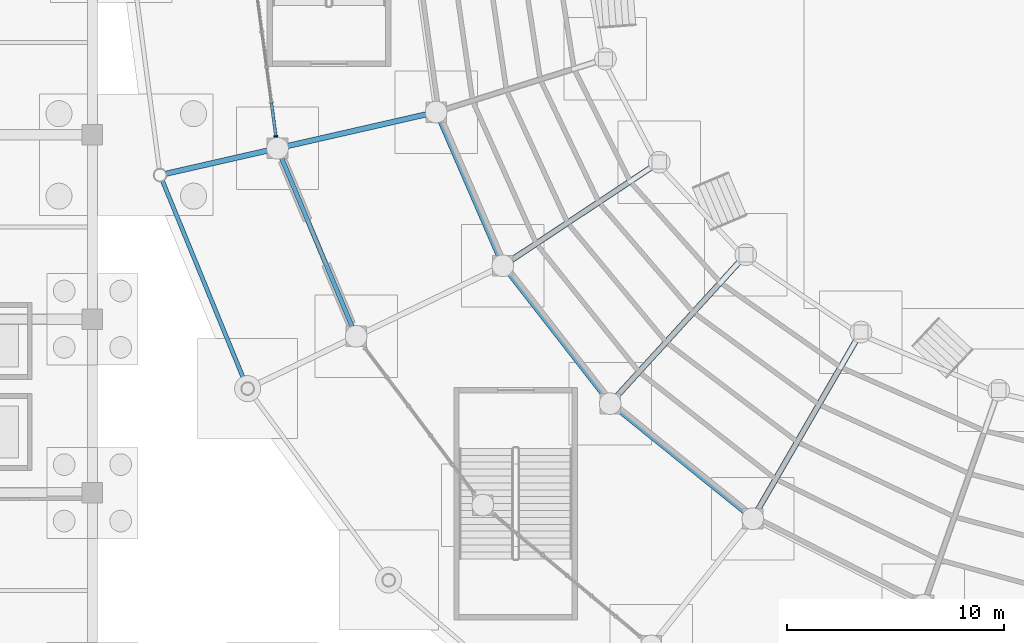
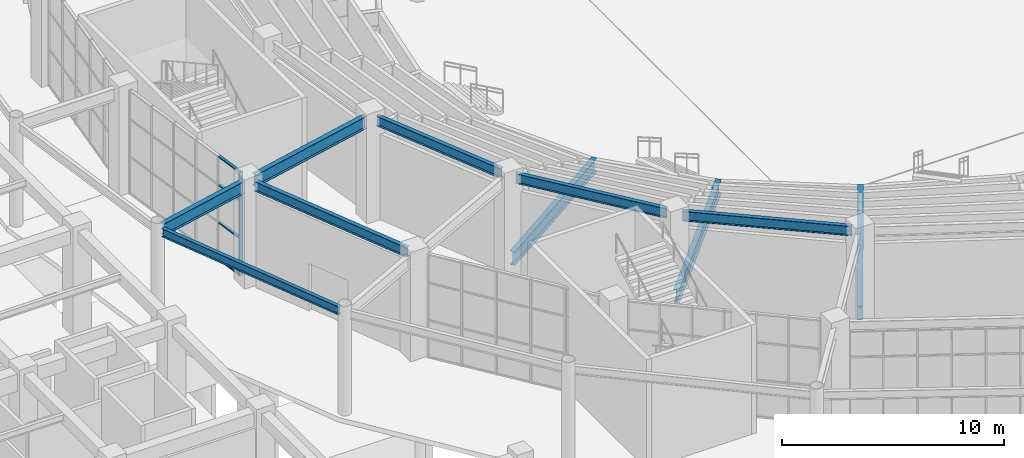
# One storey, part 30 of 121: 10 beams, 5 members, 1 element without a shape of its own.
"""IFC4 building model written with IfcOpenShell, lengths in metres."""

from ifc_helpers import new_model, si_unit, direction, frame, origin, origin_2d, place, context, subcontext, project, spatial, rectangle, i_section, extrude, material, material_profile, profile_set, type_object, element, aggregate, save


model = new_model("IFC4")

# Units and contexts
model_context = context("Model", 3, precision=1e-05, world=origin(), true_north=direction((0.0, 1.0)))
body_context = subcontext(model_context, "Body", "Model", "MODEL_VIEW")
ifc_project = project(units=[si_unit("LENGTHUNIT", "METRE"), si_unit("AREAUNIT", "SQUARE_METRE"), si_unit("VOLUMEUNIT", "CUBIC_METRE"), si_unit("PLANEANGLEUNIT", "RADIAN"), si_unit("MASSUNIT", "GRAM", prefix="KILO")], contexts=[model_context])

# Site, building, storey
site_placement = place(None, origin())
site = spatial("IfcSite", under=ifc_project, at=site_placement, CompositionType="ELEMENT")
building_placement = place(site_placement, origin())
building = spatial("IfcBuilding", under=site, at=building_placement, Name="Cuetzalor Civic Arena", CompositionType="ELEMENT")
storey_placement = place(building_placement, origin())
storey = spatial("IfcBuildingStorey", under=building, at=storey_placement, Name="L00", CompositionType="ELEMENT", Elevation=0.0)

# Curtain wall, members
ifc_material_1 = material(Name="Anodised dark bronze aluminium and low-E solar glass", Category="aluminium")
curtain_wall_type = type_object("IfcCurtainWallType", Name="UnitisedCW_8150x5700", PredefinedType="USERDEFINED", material=ifc_material_1)
curtain_wall_placement = place(storey_placement, origin())
curtain_wall = element("IfcCurtainWall", 1, at=curtain_wall_placement, inside=storey, type_object=curtain_wall_type, Name="Drum Ground Recessed Concourse Curtain Wall L00-011", ObjectType="UNITISED CURTAIN WALL", PredefinedType="USERDEFINED")
ifc_material_2 = material(Name="Anodised dark bronze aluminium", Category="aluminium")
ifc_material_profile_1 = material_profile(ifc_material_2, rectangle(XDim=0.070068359375, YDim=0.179931640625, at=origin_2d()), Name="ALU MULLION 70x180")
ifc_profile_set_1 = profile_set([ifc_material_profile_1], Name="Anodised dark bronze aluminium")
member_type_1 = type_object("IfcMemberType", Name="CurtainWallMullion_65x180", PredefinedType="MULLION", material=ifc_profile_set_1)
member_1_placement = place(storey_placement, frame((-47.844970703125, -8.5771484375, 0.0), z_axis=(0.0, 0.0, 1.0), x_axis=(-0.133443440892, 0.991056430322, 0.0)))
member_1 = element("IfcMember", 2, at=member_1_placement, type_object=member_type_1, Name="CW-01 mullion 1", PredefinedType="MULLION", context=body_context, shape_type="SweptSolid", body=[
    extrude(rectangle(XDim=0.070068359375, YDim=0.179931640625, at=origin_2d()), origin(), (0.0, 0.0, 1.0), 5.699951171875),
])
ifc_material_3 = material(Name="Anodised dark bronze aluminium", Category="aluminium")
ifc_material_profile_2 = material_profile(ifc_material_3, rectangle(XDim=0.139892578125, YDim=0.070068359375, at=origin_2d()), Name="ALU TRANSOM 70x140")
ifc_profile_set_2 = profile_set([ifc_material_profile_2], Name="Anodised dark bronze aluminium")
member_type_2 = type_object("IfcMemberType", Name="CurtainWallTransom_65x140", PredefinedType="USERDEFINED", material=ifc_profile_set_2)
member_2_placement = place(storey_placement, frame((-47.849853515625, -8.54248046875, 0.034912109375), z_axis=(-0.133439146266, 0.991057008574, 0.0), x_axis=(-0.991057008574, -0.133439146266, 0.0)))
member_2 = element("IfcMember", 3, at=member_2_placement, type_object=member_type_2, Name="CW-01 transom 1.1", ObjectType="TRANSOM", PredefinedType="USERDEFINED", context=body_context, shape_type="SweptSolid", body=[
    extrude(rectangle(XDim=0.139892578125, YDim=0.070068359375, at=origin_2d()), origin(), (0.0, 0.0, 1.0), 1.529541015625),
])
member_3_placement = place(storey_placement, frame((-47.849853515625, -8.54248046875, 2.052001953125), z_axis=(-0.133439146266, 0.991057008574, 0.0), x_axis=(-0.991057008574, -0.133439146266, 0.0)))
member_3 = element("IfcMember", 4, at=member_3_placement, type_object=member_type_2, Name="CW-01 transom 1.2", ObjectType="TRANSOM", PredefinedType="USERDEFINED", context=body_context, shape_type="SweptSolid", body=[
    extrude(rectangle(XDim=0.139892578125, YDim=0.070068359375, at=origin_2d()), origin(), (0.0, 0.0, 1.0), 1.529541015625),
])
member_4_placement = place(storey_placement, frame((-47.849853515625, -8.54248046875, 4.10400390625), z_axis=(-0.133439146266, 0.991057008574, 0.0), x_axis=(-0.991057008574, -0.133439146266, 0.0)))
member_4 = element("IfcMember", 5, at=member_4_placement, type_object=member_type_2, Name="CW-01 transom 1.3", ObjectType="TRANSOM", PredefinedType="USERDEFINED", context=body_context, shape_type="SweptSolid", body=[
    extrude(rectangle(XDim=0.139892578125, YDim=0.070068359375, at=origin_2d()), origin(), (0.0, 0.0, 1.0), 1.529541015625),
])
member_5_placement = place(storey_placement, frame((-47.849853515625, -8.54248046875, 5.6650390625), z_axis=(-0.133439146266, 0.991057008574, 0.0), x_axis=(-0.991057008574, -0.133439146266, 0.0)))
member_5 = element("IfcMember", 6, at=member_5_placement, type_object=member_type_2, Name="CW-01 transom 1.4", ObjectType="TRANSOM", PredefinedType="USERDEFINED", context=body_context, shape_type="SweptSolid", body=[
    extrude(rectangle(XDim=0.139892578125, YDim=0.070068359375, at=origin_2d()), origin(), (0.0, 0.0, 1.0), 1.529541015625),
])
aggregate(curtain_wall, [member_1, member_2, member_3, member_4, member_5])

# Beams
ifc_material_4 = material(Name="Steel S355", Category="steel")
ifc_material_profile_3 = material_profile(ifc_material_4, i_section(OverallWidth=0.18994140625, OverallDepth=0.45703125, WebThickness=0.009033203125, FlangeThickness=0.014404296875, at=origin_2d()), Name="W460x74")
ifc_profile_set_3 = profile_set([ifc_material_profile_3], Name="Steel S355")
beam_type_1 = type_object("IfcBeamType", Name="FacadeSpandrelBeam_W460", PredefinedType="SPANDREL", material=ifc_profile_set_3)
beam_1_placement = place(storey_placement, frame((-53.072265625, -10.626708984375, 5.471435546875), z_axis=(0.379398599643, -0.925233323324, 0.0), x_axis=(0.925233323324, 0.379398599643, 0.0)))
element("IfcBeam", 7, at=beam_1_placement, inside=storey, type_object=beam_type_1, Name="Drum Perimeter Spandrel L00-S16", PredefinedType="SPANDREL", context=body_context, shape_type="SweptSolid", body=[
    extrude(i_section(OverallWidth=0.18994140625, OverallDepth=0.45703125, WebThickness=0.009033203125, FlangeThickness=0.014404296875, at=origin_2d()), origin(), (0.0, 0.0, 1.0), 10.053955078125),
])
ifc_material_5 = material(Name="Steel S355", Category="steel")
ifc_material_profile_4 = material_profile(ifc_material_5, i_section(OverallWidth=0.264892578125, OverallDepth=0.7529296875, WebThickness=0.01318359375, FlangeThickness=0.01708984375, at=origin_2d()), Name="W760x147")
ifc_profile_set_4 = profile_set([ifc_material_profile_4], Name="Steel S355")
beam_type_2 = type_object("IfcBeamType", Name="LowerBowlRakerBeam_W760", PredefinedType="USERDEFINED", material=ifc_profile_set_4)
beam_2_placement = place(storey_placement, frame((-30.1826171875, -9.762451171875, 0.6435546875), z_axis=(-0.833777450738, -0.552100681615, 0.0), x_axis=(0.552100681615, -0.833777450738, 0.0)))
element("IfcBeam", 8, at=beam_2_placement, inside=storey, type_object=beam_type_2, Name="Lower Bowl Raker Beam R17", ObjectType="RAKER", PredefinedType="USERDEFINED", context=body_context, shape_type="SweptSolid", body=[
    extrude(i_section(OverallWidth=0.264892578125, OverallDepth=0.7529296875, WebThickness=0.01318359375, FlangeThickness=0.01708984375, at=origin_2d()), origin(), (0.0, 0.0, 1.0), 8.244384765625),
])
beam_3_placement = place(storey_placement, frame((-26.19140625, -14.028564453125, 0.6435546875), z_axis=(-0.673841701985, -0.738875741018, 0.0), x_axis=(0.738875741018, -0.673841701985, 0.0)))
element("IfcBeam", 9, at=beam_3_placement, inside=storey, type_object=beam_type_2, Name="Lower Bowl Raker Beam R18", ObjectType="RAKER", PredefinedType="USERDEFINED", context=body_context, shape_type="SweptSolid", body=[
    extrude(i_section(OverallWidth=0.264892578125, OverallDepth=0.7529296875, WebThickness=0.01318359375, FlangeThickness=0.01708984375, at=origin_2d()), origin(), (0.0, 0.0, 1.0), 8.882080078125),
])
beam_4_placement = place(storey_placement, frame((-20.886962890625, -17.59130859375, 0.6435546875), z_axis=(-0.501694731914, -0.865044736398, 0.0), x_axis=(0.865044736398, -0.501694731914, 0.0)))
element("IfcBeam", 10, at=beam_4_placement, inside=storey, type_object=beam_type_2, Name="Lower Bowl Raker Beam R19", ObjectType="RAKER", PredefinedType="USERDEFINED", context=body_context, shape_type="SweptSolid", body=[
    extrude(i_section(OverallWidth=0.264892578125, OverallDepth=0.7529296875, WebThickness=0.01318359375, FlangeThickness=0.01708984375, at=origin_2d()), origin(), (0.0, 0.0, 1.0), 9.5419921875),
])
ifc_material_6 = material(Name="Steel S355", Category="steel")
ifc_material_profile_5 = material_profile(ifc_material_6, i_section(OverallWidth=0.208984375, OverallDepth=0.532958984375, WebThickness=0.01025390625, FlangeThickness=0.015625, at=origin_2d()), Name="W530x92")
ifc_profile_set_5 = profile_set([ifc_material_profile_5], Name="Steel S355")
beam_type_3 = type_object("IfcBeamType", Name="SteelCollarGirder_W530", PredefinedType="BEAM", material=ifc_profile_set_5)
beam_5_placement = place(storey_placement, frame((-47.628662109375, -9.46484375, 5.43359375), z_axis=(0.385813116722, -0.922576955579, 0.0), x_axis=(0.922576955579, 0.385813116722, 0.0)))
element("IfcBeam", 11, at=beam_5_placement, inside=storey, type_object=beam_type_3, Name="Drum Concourse Ring Girder L00-S16", PredefinedType="BEAM", context=body_context, shape_type="SweptSolid", body=[
    extrude(i_section(OverallWidth=0.208984375, OverallDepth=0.532958984375, WebThickness=0.01025390625, FlangeThickness=0.015625, at=origin_2d()), origin(), (0.0, 0.0, 1.0), 8.65283203125),
])
beam_6_placement = place(storey_placement, frame((-40.31640625, -7.784912109375, 5.43359375), z_axis=(0.39772689401, -0.917503851644, 0.0), x_axis=(0.917503851644, 0.39772689401, 0.0)))
element("IfcBeam", 12, at=beam_6_placement, inside=storey, type_object=beam_type_3, Name="Bowl Inner Ring Girder L00-S16", PredefinedType="BEAM", context=body_context, shape_type="SweptSolid", body=[
    extrude(i_section(OverallWidth=0.208984375, OverallDepth=0.532958984375, WebThickness=0.01025390625, FlangeThickness=0.015625, at=origin_2d()), origin(), (0.0, 0.0, 1.0), 6.9970703125),
])
beam_7_placement = place(storey_placement, frame((-37.169189453125, -14.819091796875, 5.43359375), z_axis=(0.614261103096, -0.789102843249, 0.0), x_axis=(0.789102843249, 0.614261103096, 0.0)))
element("IfcBeam", 13, at=beam_7_placement, inside=storey, type_object=beam_type_3, Name="Bowl Inner Ring Girder L00-S17", PredefinedType="BEAM", context=body_context, shape_type="SweptSolid", body=[
    extrude(i_section(OverallWidth=0.208984375, OverallDepth=0.532958984375, WebThickness=0.01025390625, FlangeThickness=0.015625, at=origin_2d()), origin(), (0.0, 0.0, 1.0), 7.329345703125),
])
beam_8_placement = place(storey_placement, frame((-32.166015625, -21.113037109375, 5.43359375), z_axis=(0.77812651983, -0.628107569719, 0.0), x_axis=(0.628107569719, 0.77812651983, 0.0)))
element("IfcBeam", 14, at=beam_8_placement, inside=storey, type_object=beam_type_3, Name="Bowl Inner Ring Girder L00-S18", PredefinedType="BEAM", context=body_context, shape_type="SweptSolid", body=[
    extrude(i_section(OverallWidth=0.208984375, OverallDepth=0.532958984375, WebThickness=0.01025390625, FlangeThickness=0.015625, at=origin_2d()), origin(), (0.0, 0.0, 1.0), 7.725341796875),
])
ifc_material_7 = material(Name="Steel S355", Category="steel")
ifc_material_profile_6 = material_profile(ifc_material_7, i_section(OverallWidth=0.2529296875, OverallDepth=0.677978515625, WebThickness=0.01171875, FlangeThickness=0.016357421875, at=origin_2d()), Name="W690x125")
ifc_profile_set_6 = profile_set([ifc_material_profile_6], Name="Steel S355")
beam_type_4 = type_object("IfcBeamType", Name="SteelPrimaryGirder_W690", PredefinedType="BEAM", material=ifc_profile_set_6)
beam_9_placement = place(storey_placement, frame((-48.12255859375, -9.20361328125, 5.361083984375), z_axis=(-0.974939153271, -0.222471677792, 0.0), x_axis=(0.222471677792, -0.974939153271, 0.0)))
element("IfcBeam", 15, at=beam_9_placement, inside=storey, type_object=beam_type_4, Name="Drum Radial Girder L00-R16", PredefinedType="BEAM", context=body_context, shape_type="SweptSolid", body=[
    extrude(i_section(OverallWidth=0.2529296875, OverallDepth=0.677978515625, WebThickness=0.01171875, FlangeThickness=0.016357421875, at=origin_2d()), origin(), (0.0, 0.0, 1.0), 4.89990234375),
])
beam_10_placement = place(storey_placement, frame((-40.810546875, -7.53466796875, 5.361083984375), z_axis=(-0.974931535482, -0.222505058645, 0.0), x_axis=(0.222505058645, -0.974931535482, 0.0)))
element("IfcBeam", 16, at=beam_10_placement, inside=storey, type_object=beam_type_4, Name="Drum Inner Radial Girder L00-R16", PredefinedType="BEAM", context=body_context, shape_type="SweptSolid", body=[
    extrude(i_section(OverallWidth=0.2529296875, OverallDepth=0.677978515625, WebThickness=0.01171875, FlangeThickness=0.016357421875, at=origin_2d()), origin(), (0.0, 0.0, 1.0), 6.77978515625),
])

save(model, "model.ifc")
